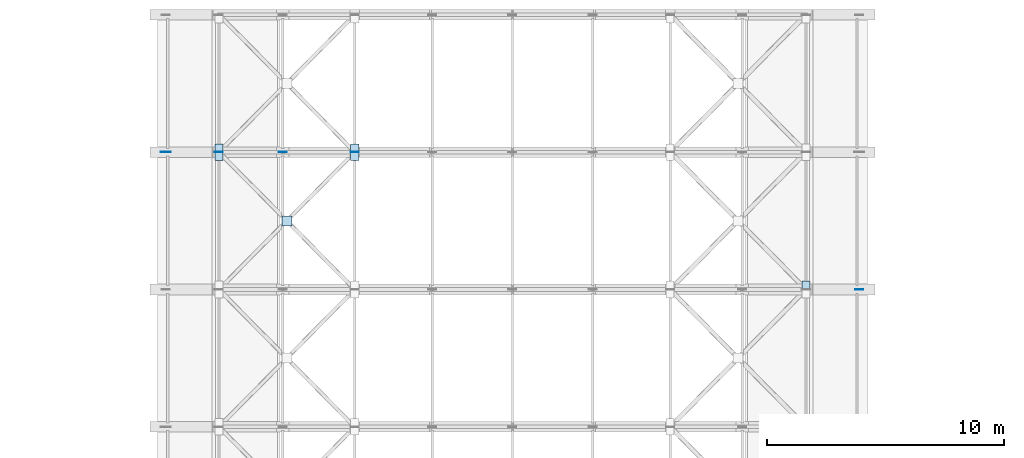
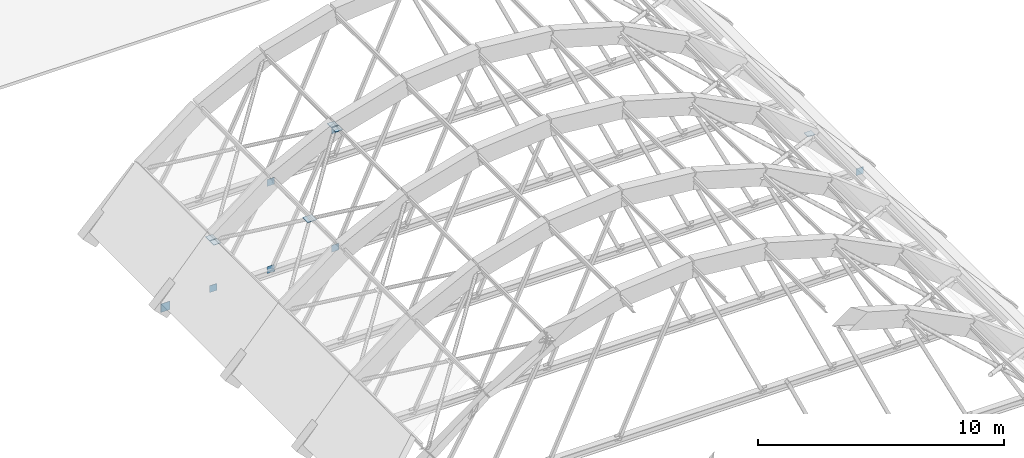
# One storey, part 37 of 81: 13 plates.
"""IFC4 building model written with IfcOpenShell, lengths in metres."""

from ifc_helpers import new_model, si_unit, direction, frame, origin, origin_2d, place, context, subcontext, project, spatial, rectangle, extrude, material, layer, layer_set, type_object, element, save


model = new_model("IFC4")

# Units and contexts
model_context = context("Model", 3, precision=1e-05, world=origin(), true_north=direction((0.0, 1.0)))
body_context = subcontext(model_context, "Body", "Model", "MODEL_VIEW")
ifc_project = project(units=[si_unit("LENGTHUNIT", "METRE"), si_unit("AREAUNIT", "SQUARE_METRE"), si_unit("VOLUMEUNIT", "CUBIC_METRE"), si_unit("PLANEANGLEUNIT", "RADIAN"), si_unit("MASSUNIT", "GRAM", prefix="KILO")], contexts=[model_context])

# Site, building, storey
site_placement = place(None, origin())
site = spatial("IfcSite", under=ifc_project, at=site_placement, CompositionType="ELEMENT")
building_placement = place(site_placement, origin())
building = spatial("IfcBuilding", under=site, at=building_placement, Name="Tanwirah Colonnade Gardens", CompositionType="ELEMENT")
storey_placement = place(building_placement, frame((0.0, 0.0, 8.840087890625)))
storey = spatial("IfcBuildingStorey", under=building, at=storey_placement, Name="L02", CompositionType="ELEMENT", Elevation=8.840087890625)

# Plates
ifc_material = material(Name="Steel S355", Category="steel")
ifc_layer_1 = layer(ifc_material, 0.02001953125)
ifc_layer_set_1 = layer_set([ifc_layer_1], Name="Steel S355")
plate_type_1 = type_object("IfcPlateType", Name="PLT-GUS20", PredefinedType="USERDEFINED", material=ifc_layer_set_1)
for number, where, z_axis, x_axis, name in (
    (1, (107.64990234375, 68.800048828125, -0.41015625), (0.0, 0.0, 1.0), (1.0, 0.0, 0.0), "Vault Arch Gusset Plate 6-E"),
    (2, (80.604736328125, 74.60009765625, -0.27001953125), (0.0, 0.0, 1.0), (1.0, 0.0, 0.0), "Vault Web Lower Node Gusset Plate 7.2"),
    (3, (83.3017578125, 74.60009765625, 4.0615234375), (0.0, 0.0, 1.0), (1.0, 0.0, 0.0), "Vault Web Upper Node Gusset Plate 7.2"),
    (4, (83.3017578125, 74.60009765625, -0.27001953125), (0.0, 0.0, 1.0), (1.0, 0.0, 0.0), "Vault Web Lower Node Gusset Plate 7.3"),
    (5, (86.339111328125, 74.60009765625, 5.6005859375), (0.0, 0.0, 1.0), (1.0, 0.0, 0.0), "Vault Web Upper Node Gusset Plate 7.3"),
    (6, (86.339111328125, 74.60009765625, -0.27001953125), (0.0, 0.0, 1.0), (1.0, 0.0, 0.0), "Vault Web Lower Node Gusset Plate 7.4"),
):
    element("IfcPlate", number, at=place(storey_placement, frame(where, z_axis=z_axis, x_axis=x_axis)), inside=storey, type_object=plate_type_1, Name=name, ObjectType="GUSSET_PLATE", PredefinedType="USERDEFINED", context=body_context, shape_type="SweptSolid", body=[
        extrude(rectangle(XDim=0.340087890625, YDim=0.02001953125, at=origin_2d()), origin(), (0.0, 0.0, 1.0), 0.340087890625),
    ])
for number, where, z_axis, x_axis, name in (
    (7, (86.339111328125, 74.419921875, 5.900634765625), (0.0, 0.0, 1.0), (1.0, 0.0, 0.0), "Vault Brace End Gusset Plate 6.1B"),
    (8, (80.604736328125, 74.419921875, 2.283447265625), (0.0, 0.0, 1.0), (1.0, 0.0, 0.0), "Vault Brace End Gusset Plate 6.2B"),
    (9, (105.395263671875, 68.97998046875, 2.283447265625), (0.0, 0.0, 1.0), (1.0, 0.0, 0.0), "Vault Brace End Gusset Plate 6.4A"),
    (10, (80.604736328125, 74.780029296875, 2.283447265625), (0.0, 0.0, 1.0), (1.0, 0.0, 0.0), "Vault Brace End Gusset Plate 7.1A"),
    (11, (86.339111328125, 74.780029296875, 5.900634765625), (0.0, 0.0, 1.0), (1.0, 0.0, 0.0), "Vault Brace End Gusset Plate 7.2A"),
):
    element("IfcPlate", number, at=place(storey_placement, frame(where, z_axis=z_axis, x_axis=x_axis)), inside=storey, type_object=plate_type_1, Name=name, ObjectType="GUSSET_PLATE", PredefinedType="USERDEFINED", context=body_context, shape_type="SweptSolid", body=[
        extrude(rectangle(XDim=0.340087890625, YDim=0.340087890625, at=origin_2d()), origin(), (0.0, 0.0, 1.0), 0.02001953125),
    ])
ifc_layer_2 = layer(ifc_material, 0.02490234375)
ifc_layer_set_2 = layer_set([ifc_layer_2], Name="Steel S355")
plate_type_2 = type_object("IfcPlateType", Name="PLT-GUS25", PredefinedType="USERDEFINED", material=ifc_layer_set_2)
plate_1_placement = place(storey_placement, frame((78.35009765625, 74.60009765625, -0.449951171875), z_axis=(0.0, 0.0, 1.0), x_axis=(1.0, 0.0, 0.0)))
element("IfcPlate", 12, at=plate_1_placement, inside=storey, type_object=plate_type_2, Name="Vault Arch Gusset Plate 7-W", ObjectType="GUSSET_PLATE", PredefinedType="USERDEFINED", context=body_context, shape_type="SweptSolid", body=[
    extrude(rectangle(XDim=0.419921875, YDim=0.02490234375, at=origin_2d()), origin(), (0.0, 0.0, 1.0), 0.419921875),
])
plate_2_placement = place(storey_placement, frame((83.471923828125, 71.699951171875, 4.089599609375), z_axis=(0.0, 0.0, 1.0), x_axis=(1.0, 0.0, 0.0)))
element("IfcPlate", 13, at=plate_2_placement, inside=storey, type_object=plate_type_2, Name="Vault X-Brace Crossing Gusset Plate 6-W", ObjectType="GUSSET_PLATE", PredefinedType="USERDEFINED", context=body_context, shape_type="SweptSolid", body=[
    extrude(rectangle(XDim=0.419921875, YDim=0.419921875, at=origin_2d()), origin(), (0.0, 0.0, 1.0), 0.02490234375),
])

save(model, "model.ifc")
